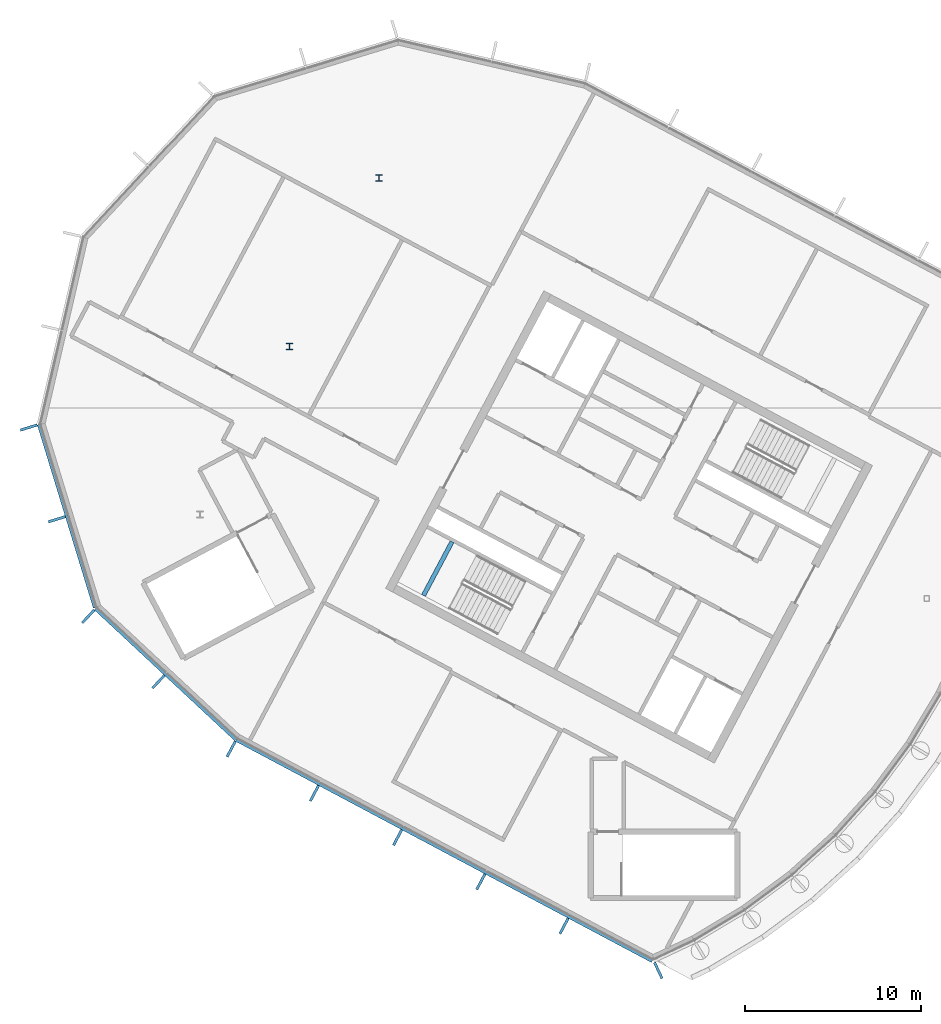
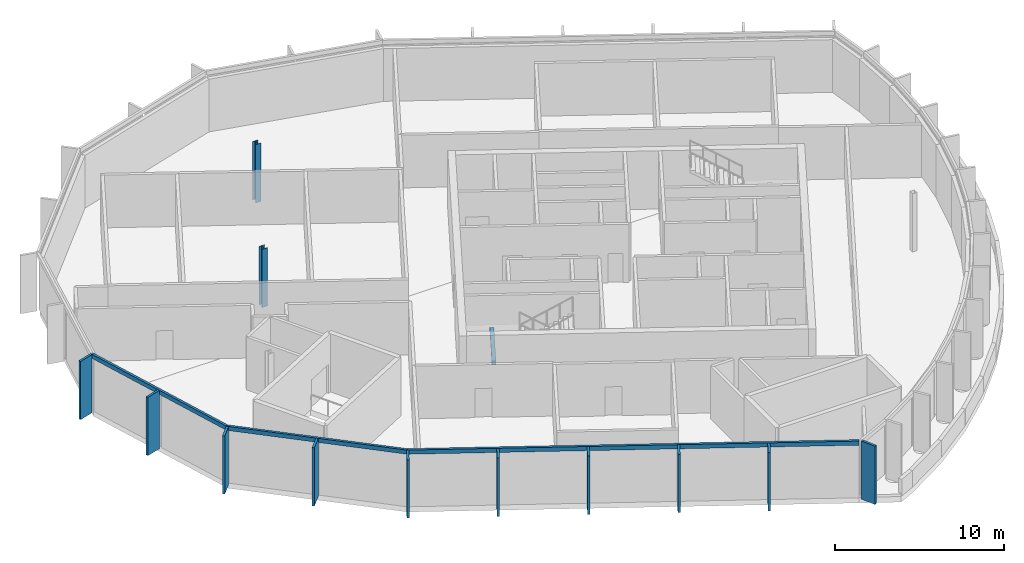
# One storey, part 3 of 13: 13 members, 2 columns, 1 beam, 4 elements without a shape of their own.
"""IFC4 building model written with IfcOpenShell, lengths in metres."""

from ifc_helpers import new_model, si_unit, direction, frame, origin, origin_2d, place, context, subcontext, project, spatial, rectangle, i_section, extrude, material, layer, layer_set, material_profile, profile_set, type_object, element, aggregate, save


model = new_model("IFC4")

# Units and contexts
model_context = context("Model", 3, precision=1e-05, world=origin(), true_north=direction((0.0, 1.0)))
body_context = subcontext(model_context, "Body", "Model", "MODEL_VIEW")
ifc_project = project(units=[si_unit("LENGTHUNIT", "METRE"), si_unit("AREAUNIT", "SQUARE_METRE"), si_unit("VOLUMEUNIT", "CUBIC_METRE"), si_unit("PLANEANGLEUNIT", "RADIAN"), si_unit("MASSUNIT", "GRAM", prefix="KILO")], contexts=[model_context])

# Site, building, storey
site_placement = place(None, origin())
site = spatial("IfcSite", under=ifc_project, at=site_placement, CompositionType="ELEMENT")
building_placement = place(site_placement, origin())
building = spatial("IfcBuilding", under=site, at=building_placement, Name="Cormorant Relay Tower", CompositionType="ELEMENT")
storey_placement = place(building_placement, frame((0.0, 0.0, 353.39990234375)))
storey = spatial("IfcBuildingStorey", under=building, at=storey_placement, Name="C7", CompositionType="ELEMENT", Elevation=353.39990234375)

# Columns
ifc_material_1 = material(Name="Steel ASTM A992 (Fy 345 MPa)", Category="steel")
ifc_material_profile_1 = material_profile(ifc_material_1, i_section(OverallWidth=0.373291015625, OverallDepth=0.373291015625, WebThickness=0.016357421875, FlangeThickness=0.026123046875, FilletRadius=0.01513671875, at=origin_2d()), Name="W360x196")
ifc_profile_set_1 = profile_set([ifc_material_profile_1], Name="Steel ASTM A992 (Fy 345 MPa)")
column_type = type_object("IfcColumnType", Name="Column W360x196", PredefinedType="COLUMN", material=ifc_profile_set_1)
for number, where, z_axis, x_axis, name in (
    (1, (-46.6201171875, 24.7880859375, 0.0), (0.0, 0.0, 1.0), (1.0, 0.0, 0.0), "Column C7-003"),
    (2, (-41.549072265625, 34.323974609375, 0.0), (0.0, 0.0, 1.0), (1.0, 0.0, 0.0), "Column C7-004"),
):
    element("IfcColumn", number, at=place(storey_placement, frame(where, z_axis=z_axis, x_axis=x_axis)), inside=storey, type_object=column_type, Name=name, PredefinedType="COLUMN", context=body_context, shape_type="SweptSolid", body=[
        extrude(i_section(OverallWidth=0.373291015625, OverallDepth=0.373291015625, WebThickness=0.016357421875, FlangeThickness=0.026123046875, FilletRadius=0.01513671875, at=origin_2d()), origin(), (0.0, 0.0, 1.0), 4.2001953125),
    ])

# Curtain wall, members
ifc_material_2 = material(Name="Aluminium 6063-T6 anodised bronze", Category="aluminium")
ifc_layer = layer(ifc_material_2, 0.199951171875)
ifc_layer_set = layer_set([ifc_layer], Name="CW3 crown screen wall")
curtain_wall_type = type_object("IfcCurtainWallType", Name="CW3 crown screen wall", PredefinedType="NOTDEFINED", material=ifc_layer_set)
curtain_wall_1_placement = place(storey_placement, origin())
curtain_wall_1 = element("IfcCurtainWall", 3, at=curtain_wall_1_placement, inside=storey, type_object=curtain_wall_type, Name="CW3 curtain wall 1", PredefinedType="NOTDEFINED")
ifc_material_3 = material(Name="Aluminium 6063-T6 anodised bronze", Category="aluminium")
ifc_material_profile_2 = material_profile(ifc_material_3, rectangle(XDim=0.14990234375, YDim=1.0, at=origin_2d()), Name="AL 150x1000")
ifc_profile_set_2 = profile_set([ifc_material_profile_2], Name="Aluminium 6063-T6 anodised bronze")
member_type_1 = type_object("IfcMemberType", Name="CW3 bronze fin mullion 150 x 1000", PredefinedType="MULLION", material=ifc_profile_set_2)
member_1_placement = place(storey_placement, frame((-49.920166015625, 1.96630859375, 0.0), z_axis=(0.0, 0.0, 1.0), x_axis=(0.882947592859, -0.469471562786, 0.0)))
member_1 = element("IfcMember", 4, at=member_1_placement, type_object=member_type_1, Name="CW3 fin 1.1", PredefinedType="MULLION", context=body_context, shape_type="SweptSolid", body=[
    extrude(rectangle(XDim=0.14990234375, YDim=1.0, at=origin_2d()), origin(), (0.0, 0.0, 1.0), 4.2001953125),
])
member_2_placement = place(storey_placement, frame((-45.204833984375, -0.541015625, 0.0), z_axis=(0.0, 0.0, 1.0), x_axis=(0.882947592859, -0.469471562786, 0.0)))
member_2 = element("IfcMember", 5, at=member_2_placement, type_object=member_type_1, Name="CW3 fin 1.2", PredefinedType="MULLION", context=body_context, shape_type="SweptSolid", body=[
    extrude(rectangle(XDim=0.14990234375, YDim=1.0, at=origin_2d()), origin(), (0.0, 0.0, 1.0), 4.2001953125),
])
member_3_placement = place(storey_placement, frame((-40.489501953125, -3.048095703125, 0.0), z_axis=(0.0, 0.0, 1.0), x_axis=(0.882947592859, -0.469471562786, 0.0)))
member_3 = element("IfcMember", 6, at=member_3_placement, type_object=member_type_1, Name="CW3 fin 1.3", PredefinedType="MULLION", context=body_context, shape_type="SweptSolid", body=[
    extrude(rectangle(XDim=0.14990234375, YDim=1.0, at=origin_2d()), origin(), (0.0, 0.0, 1.0), 4.2001953125),
])
member_4_placement = place(storey_placement, frame((-35.774169921875, -5.555419921875, 0.0), z_axis=(0.0, 0.0, 1.0), x_axis=(0.882947592859, -0.469471562786, 0.0)))
member_4 = element("IfcMember", 7, at=member_4_placement, type_object=member_type_1, Name="CW3 fin 1.4", PredefinedType="MULLION", context=body_context, shape_type="SweptSolid", body=[
    extrude(rectangle(XDim=0.14990234375, YDim=1.0, at=origin_2d()), origin(), (0.0, 0.0, 1.0), 4.2001953125),
])
member_5_placement = place(storey_placement, frame((-31.058837890625, -8.0625, 0.0), z_axis=(0.0, 0.0, 1.0), x_axis=(0.882947592859, -0.469471562786, 0.0)))
member_5 = element("IfcMember", 8, at=member_5_placement, type_object=member_type_1, Name="CW3 fin 1.5", PredefinedType="MULLION", context=body_context, shape_type="SweptSolid", body=[
    extrude(rectangle(XDim=0.14990234375, YDim=1.0, at=origin_2d()), origin(), (0.0, 0.0, 1.0), 4.2001953125),
])

# Curtain wall, member
curtain_wall_2_placement = place(storey_placement, origin())
curtain_wall_2 = element("IfcCurtainWall", 9, at=curtain_wall_2_placement, inside=storey, type_object=curtain_wall_type, Name="CW3 curtain wall 2", PredefinedType="NOTDEFINED")
member_6_placement = place(storey_placement, frame((-25.7158203125, -10.58447265625, 0.0), z_axis=(0.0, 0.0, 1.0), x_axis=(0.903989293123, 0.42755509343, 0.0)))
member_6 = element("IfcMember", 10, at=member_6_placement, type_object=member_type_1, Name="CW3 fin 2.1", PredefinedType="MULLION", context=body_context, shape_type="SweptSolid", body=[
    extrude(rectangle(XDim=0.14990234375, YDim=1.0, at=origin_2d()), origin(), (0.0, 0.0, 1.0), 4.2001953125),
])
aggregate(curtain_wall_2, [member_6])

# Curtain wall, members
curtain_wall_3_placement = place(storey_placement, origin())
curtain_wall_3 = element("IfcCurtainWall", 11, at=curtain_wall_3_placement, inside=storey, type_object=curtain_wall_type, Name="CW3 curtain wall 21", PredefinedType="NOTDEFINED")
member_7_placement = place(storey_placement, frame((-61.389404296875, 20.188720703125, 0.0), z_axis=(0.0, 0.0, 1.0), x_axis=(0.292371704723, -0.956304755963, 0.0)))
member_7 = element("IfcMember", 12, at=member_7_placement, type_object=member_type_1, Name="CW3 fin 21.1", PredefinedType="MULLION", context=body_context, shape_type="SweptSolid", body=[
    extrude(rectangle(XDim=0.14990234375, YDim=1.0, at=origin_2d()), origin(), (0.0, 0.0, 1.0), 4.2001953125),
])
member_8_placement = place(storey_placement, frame((-59.80029296875, 14.990966796875, 0.0), z_axis=(0.0, 0.0, 1.0), x_axis=(0.292371704723, -0.956304755963, 0.0)))
member_8 = element("IfcMember", 13, at=member_8_placement, type_object=member_type_1, Name="CW3 fin 21.2", PredefinedType="MULLION", context=body_context, shape_type="SweptSolid", body=[
    extrude(rectangle(XDim=0.14990234375, YDim=1.0, at=origin_2d()), origin(), (0.0, 0.0, 1.0), 4.2001953125),
])

curtain_wall_4_placement = place(storey_placement, origin())
curtain_wall_4 = element("IfcCurtainWall", 14, at=curtain_wall_4_placement, inside=storey, type_object=curtain_wall_type, Name="CW3 curtain wall 22", PredefinedType="NOTDEFINED")
member_9_placement = place(storey_placement, frame((-58.01904296875, 9.486083984375, 0.0), z_axis=(0.0, 0.0, 1.0), x_axis=(0.731353701619, -0.681998360062, 0.0)))
member_9 = element("IfcMember", 15, at=member_9_placement, type_object=member_type_1, Name="CW3 fin 22.1", PredefinedType="MULLION", context=body_context, shape_type="SweptSolid", body=[
    extrude(rectangle(XDim=0.14990234375, YDim=1.0, at=origin_2d()), origin(), (0.0, 0.0, 1.0), 4.2001953125),
])
member_10_placement = place(storey_placement, frame((-54.0439453125, 5.779296875, 0.0), z_axis=(0.0, 0.0, 1.0), x_axis=(0.731353701619, -0.681998360062, 0.0)))
member_10 = element("IfcMember", 16, at=member_10_placement, type_object=member_type_1, Name="CW3 fin 22.2", PredefinedType="MULLION", context=body_context, shape_type="SweptSolid", body=[
    extrude(rectangle(XDim=0.14990234375, YDim=1.0, at=origin_2d()), origin(), (0.0, 0.0, 1.0), 4.2001953125),
])

# Member
ifc_material_4 = material(Name="Aluminium 6063-T6 anodised bronze", Category="aluminium")
ifc_material_profile_3 = material_profile(ifc_material_4, rectangle(XDim=0.159912109375, YDim=0.300048828125, at=origin_2d()), Name="AL 160x300")
ifc_profile_set_3 = profile_set([ifc_material_profile_3], Name="Aluminium 6063-T6 anodised bronze")
member_type_2 = type_object("IfcMemberType", Name="CW3 bronze transom 160 x 300", PredefinedType="USERDEFINED", material=ifc_profile_set_3)
member_11_placement = place(storey_placement, frame((-49.64794921875, 2.478515625, 4.050048828125), z_axis=(0.882944484368, -0.469477408961, 0.0), x_axis=(0.469477408961, 0.882944484368, 0.0)))
member_11 = element("IfcMember", 17, at=member_11_placement, type_object=member_type_2, Name="CW3 transom 1", ObjectType="TRANSOM", PredefinedType="USERDEFINED", context=body_context, shape_type="SweptSolid", body=[
    extrude(rectangle(XDim=0.159912109375, YDim=0.300048828125, at=origin_2d()), origin(), (0.0, 0.0, 1.0), 26.702392578125),
])

aggregate(curtain_wall_1, [member_1, member_2, member_3, member_4, member_5, member_11])

member_12_placement = place(storey_placement, frame((-60.834716796875, 20.358154296875, 4.050048828125), z_axis=(0.292377729282, -0.95630291405, 0.0), x_axis=(0.95630291405, 0.292377729282, 0.0)))
member_12 = element("IfcMember", 18, at=member_12_placement, type_object=member_type_2, Name="CW3 transom 21", ObjectType="TRANSOM", PredefinedType="USERDEFINED", context=body_context, shape_type="SweptSolid", body=[
    extrude(rectangle(XDim=0.159912109375, YDim=0.300048828125, at=origin_2d()), origin(), (0.0, 0.0, 1.0), 10.870361328125),
])

aggregate(curtain_wall_3, [member_7, member_8, member_12])

member_13_placement = place(storey_placement, frame((-57.62353515625, 9.91015625, 4.050048828125), z_axis=(0.731358420696, -0.681993299437, 0.0), x_axis=(0.681993299437, 0.731358420696, 0.0)))
member_13 = element("IfcMember", 19, at=member_13_placement, type_object=member_type_2, Name="CW3 transom 22", ObjectType="TRANSOM", PredefinedType="USERDEFINED", context=body_context, shape_type="SweptSolid", body=[
    extrude(rectangle(XDim=0.159912109375, YDim=0.300048828125, at=origin_2d()), origin(), (0.0, 0.0, 1.0), 10.870361328125),
])

aggregate(curtain_wall_4, [member_9, member_10, member_13])

# Beam
ifc_material_5 = material(Name="Concrete 50 MPa", Category="concrete")
ifc_material_profile_4 = material_profile(ifc_material_5, rectangle(XDim=0.25, YDim=0.300048828125, at=origin_2d()), Name="RC 250x300")
ifc_profile_set_4 = profile_set([ifc_material_profile_4], Name="Concrete 50 MPa")
beam_type = type_object("IfcBeamType", Name="Stair landing ledge beam 250x300", PredefinedType="BEAM", material=ifc_profile_set_4)
beam_placement = place(storey_placement, frame((-37.404052734375, 13.715576171875, 1.75), z_axis=(-0.469463917486, -0.882951657895, 0.0), x_axis=(0.882951657895, -0.469463917486, 0.0)))
element("IfcBeam", 20, at=beam_placement, inside=storey, type_object=beam_type, Name="A2 landing ledge beam", PredefinedType="BEAM", context=body_context, shape_type="SweptSolid", body=[
    extrude(rectangle(XDim=0.25, YDim=0.300048828125, at=origin_2d()), origin(), (0.0, 0.0, 1.0), 3.449951171875),
])

save(model, "model.ifc")
